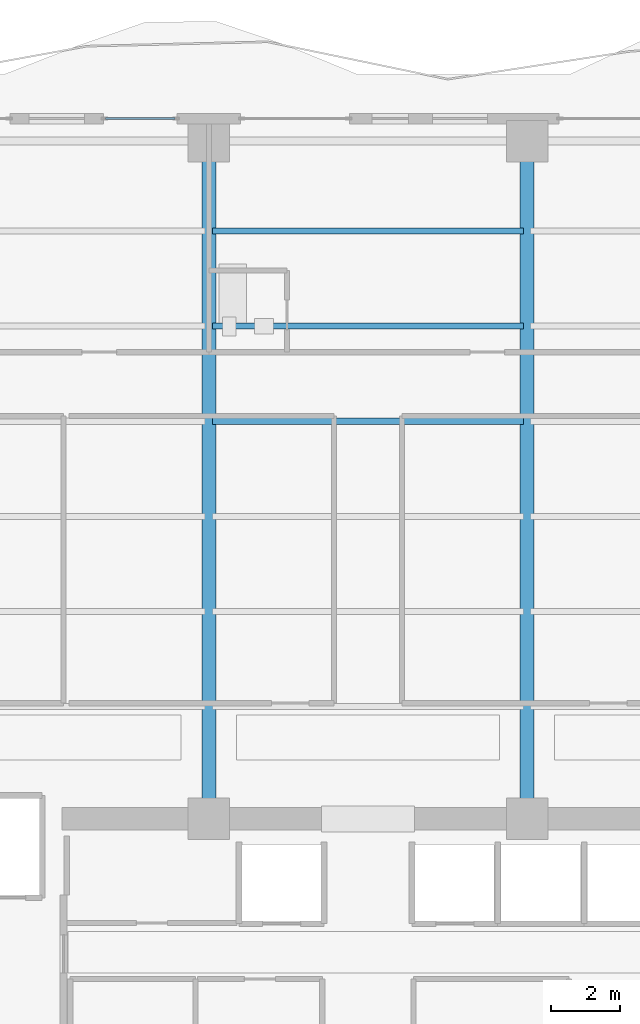
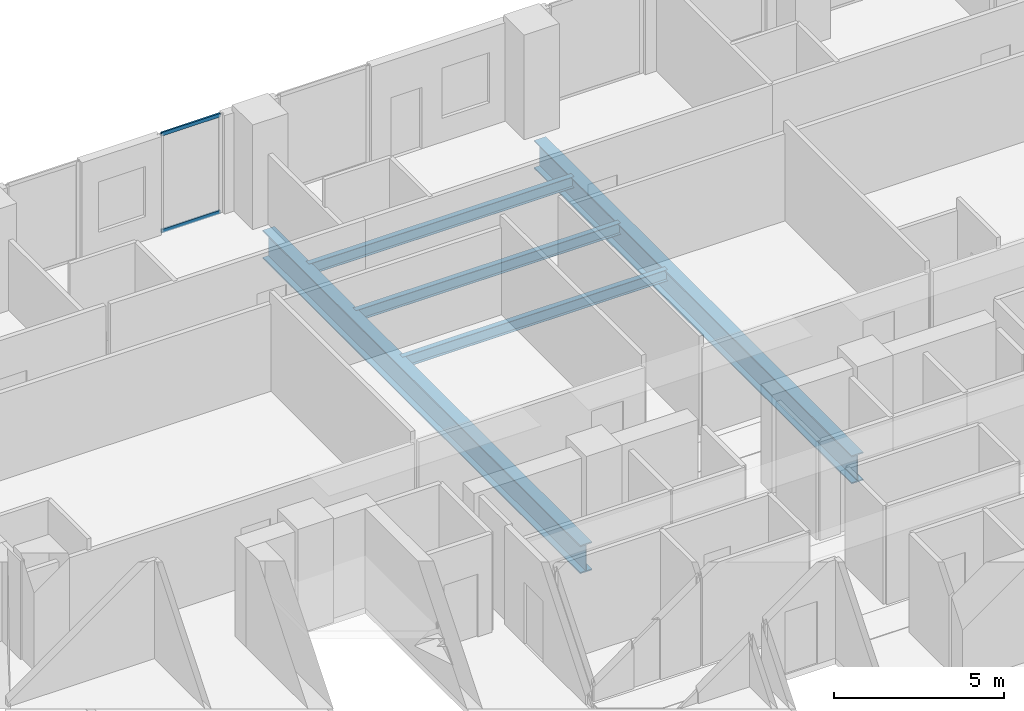
# One storey, part 19 of 32: 5 beams, 2 members, 1 element without a shape of its own.
"""IFC4 building model written with IfcOpenShell, lengths in metres."""

from ifc_helpers import new_model, si_unit, direction, frame, origin, origin_2d, place, context, subcontext, project, spatial, hollow_rectangle, i_section, extrude, material, layer, layer_set, material_profile, profile_set, type_object, element, aggregate, save


model = new_model("IFC4")

# Units and contexts
model_context = context("Model", 3, precision=1e-05, world=origin(), true_north=direction((0.0, 1.0)))
body_context = subcontext(model_context, "Body", "Model", "MODEL_VIEW")
ifc_project = project(units=[si_unit("LENGTHUNIT", "METRE"), si_unit("AREAUNIT", "SQUARE_METRE"), si_unit("VOLUMEUNIT", "CUBIC_METRE"), si_unit("PLANEANGLEUNIT", "RADIAN"), si_unit("MASSUNIT", "GRAM", prefix="KILO")], contexts=[model_context])

# Site, building, storey
site_placement = place(None, origin())
site = spatial("IfcSite", under=ifc_project, at=site_placement, CompositionType="ELEMENT")
building_placement = place(site_placement, origin())
building = spatial("IfcBuilding", under=site, at=building_placement, Name="Zuhayl Quay Hotel", CompositionType="ELEMENT")
storey_placement = place(building_placement, frame((0.0, 0.0, 218.64990234375)))
storey = spatial("IfcBuildingStorey", under=building, at=storey_placement, Name="L55", CompositionType="ELEMENT", Elevation=218.64990234375)

# Beams
ifc_material_1 = material(Name="Steel ASTM A992 Grade 50", Category="steel")
ifc_material_profile_1 = material_profile(ifc_material_1, i_section(OverallWidth=0.177978515625, OverallDepth=0.406005859375, WebThickness=0.0078125, FlangeThickness=0.0126953125, at=origin_2d()), Name="W16X40")
ifc_profile_set_1 = profile_set([ifc_material_profile_1], Name="Steel ASTM A992 Grade 50")
beam_type_1 = type_object("IfcBeamType", Name="BM_J2B_W16X40", PredefinedType="JOIST", material=ifc_profile_set_1)
for number, where, z_axis, x_axis, name in (
    (1, (-4.493896484375, 24.85009765625, -0.4228515625), (1.0, 0.0, 0.0), (0.0, 1.0, 0.0), "L55 Floor Beam FJ_L55_4_2"),
    (2, (-4.493896484375, 27.60009765625, -0.4228515625), (1.0, 0.0, 0.0), (0.0, 1.0, 0.0), "L55 Floor Beam FJ_L55_5_2"),
    (3, (-4.493896484375, 30.35009765625, -0.4228515625), (1.0, 0.0, 0.0), (0.0, 1.0, 0.0), "L55 Floor Beam FJ_L55_6_2"),
):
    element("IfcBeam", number, at=place(storey_placement, frame(where, z_axis=z_axis, x_axis=x_axis)), inside=storey, type_object=beam_type_1, Name=name, PredefinedType="JOIST", context=body_context, shape_type="SweptSolid", body=[
        extrude(i_section(OverallWidth=0.177978515625, OverallDepth=0.406005859375, WebThickness=0.0078125, FlangeThickness=0.0126953125, at=origin_2d()), origin(), (0.0, 0.0, 1.0), 8.98779296875),
    ])
ifc_material_profile_2 = material_profile(ifc_material_1, i_section(OverallWidth=0.40087890625, OverallDepth=1.010986328125, WebThickness=0.023681640625, FlangeThickness=0.0419921875, at=origin_2d()), Name="W40X297")
ifc_profile_set_2 = profile_set([ifc_material_profile_2], Name="Steel ASTM A992 Grade 50")
beam_type_2 = type_object("IfcBeamType", Name="BM_TG2_W40X297", PredefinedType="BEAM", material=ifc_profile_set_2)
for number, where, z_axis, x_axis, name in (
    (4, (-4.60009765625, 13.800048828125, -0.725341796875), (0.0, 1.0, 0.0), (-1.0, 0.0, 0.0), "L55 Floor Beam FG_N_L55_2"),
    (5, (4.60009765625, 13.800048828125, -0.725341796875), (0.0, 1.0, 0.0), (-1.0, 0.0, 0.0), "L55 Floor Beam FG_N_L55_3"),
):
    element("IfcBeam", number, at=place(storey_placement, frame(where, z_axis=z_axis, x_axis=x_axis)), inside=storey, type_object=beam_type_2, Name=name, PredefinedType="BEAM", context=body_context, shape_type="SweptSolid", body=[
        extrude(i_section(OverallWidth=0.40087890625, OverallDepth=1.010986328125, WebThickness=0.023681640625, FlangeThickness=0.0419921875, at=origin_2d()), origin(), (0.0, 0.0, 1.0), 18.64990234375),
    ])

# Curtain wall, members
ifc_material_2 = material(Name="Anodised Aluminium 6063-T6", Category="aluminium")
ifc_layer = layer(ifc_material_2, 0.175048828125, Name="Anodised Aluminium 6063-T6", Category="aluminium")
ifc_layer_set = layer_set([ifc_layer], Name="Anodised Aluminium 6063-T6")
curtain_wall_type = type_object("IfcCurtainWallType", Name="CW_SYS_Z3", PredefinedType="USERDEFINED", material=ifc_layer_set)
curtain_wall_placement = place(storey_placement, origin())
curtain_wall = element("IfcCurtainWall", 6, at=curtain_wall_placement, inside=storey, type_object=curtain_wall_type, Name="L55 Curtain Wall ENV_L55_N_CW3", ObjectType="UNITISED CURTAIN WALL", PredefinedType="USERDEFINED")
ifc_material_3 = material(Name="Black-anodised aluminium 6063-T6", Category="aluminium")
ifc_material_profile_3 = material_profile(ifc_material_3, hollow_rectangle(XDim=0.054931640625, YDim=0.1298828125, WallThickness=0.0029296875, at=origin_2d()), Name="ALU130X55")
ifc_profile_set_3 = profile_set([ifc_material_profile_3], Name="Black-anodised aluminium 6063-T6")
member_type = type_object("IfcMemberType", Name="MB_CW_TRN_130", PredefinedType="USERDEFINED", material=ifc_profile_set_3)
member_1_placement = place(storey_placement, frame((-7.5849609375, 33.60009765625, 0.027587890625), z_axis=(1.0, 0.0, 0.0), x_axis=(0.0, 1.0, 0.0)))
member_1 = element("IfcMember", 7, at=member_1_placement, type_object=member_type, Name="CW-Z3 transom 1.1", ObjectType="TRANSOM", PredefinedType="USERDEFINED", context=body_context, shape_type="SweptSolid", body=[
    extrude(hollow_rectangle(XDim=0.054931640625, YDim=0.1298828125, WallThickness=0.0029296875, at=origin_2d()), origin(), (0.0, 0.0, 1.0), 2.0),
])
member_2_placement = place(storey_placement, frame((-7.5849609375, 33.60009765625, 3.502685546875), z_axis=(1.0, 0.0, 0.0), x_axis=(0.0, 1.0, 0.0)))
member_2 = element("IfcMember", 8, at=member_2_placement, type_object=member_type, Name="CW-Z3 transom 1.2", ObjectType="TRANSOM", PredefinedType="USERDEFINED", context=body_context, shape_type="SweptSolid", body=[
    extrude(hollow_rectangle(XDim=0.054931640625, YDim=0.1298828125, WallThickness=0.0029296875, at=origin_2d()), origin(), (0.0, 0.0, 1.0), 2.0),
])
aggregate(curtain_wall, [member_1, member_2])

save(model, "model.ifc")
